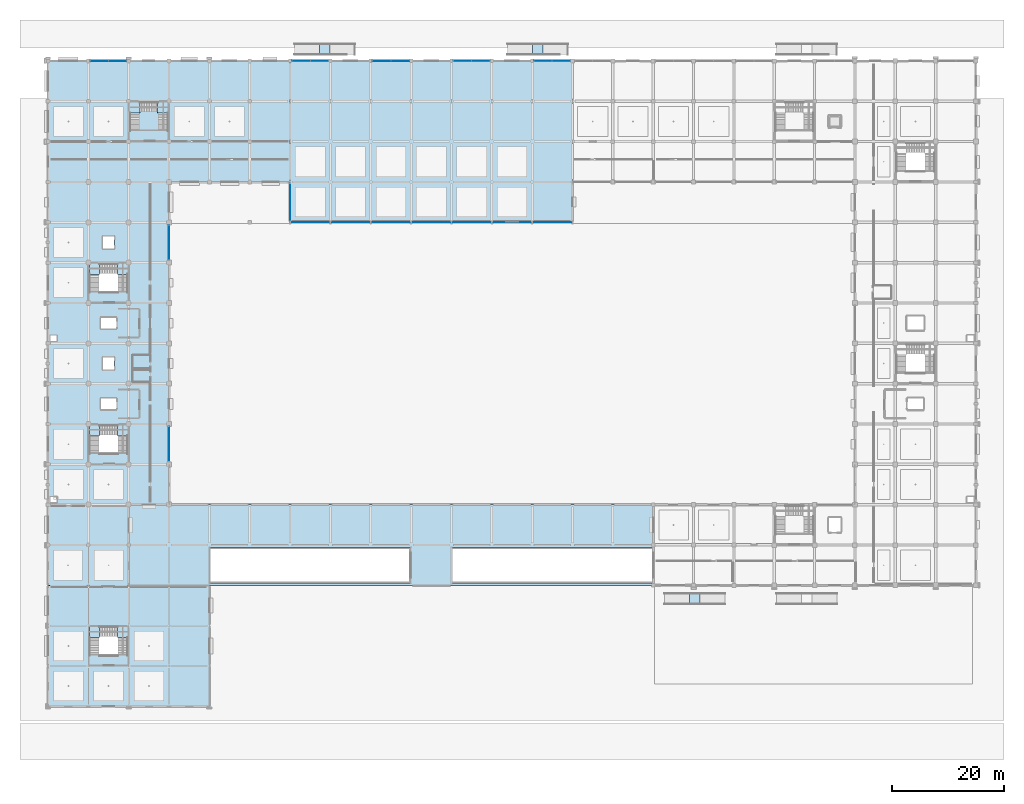
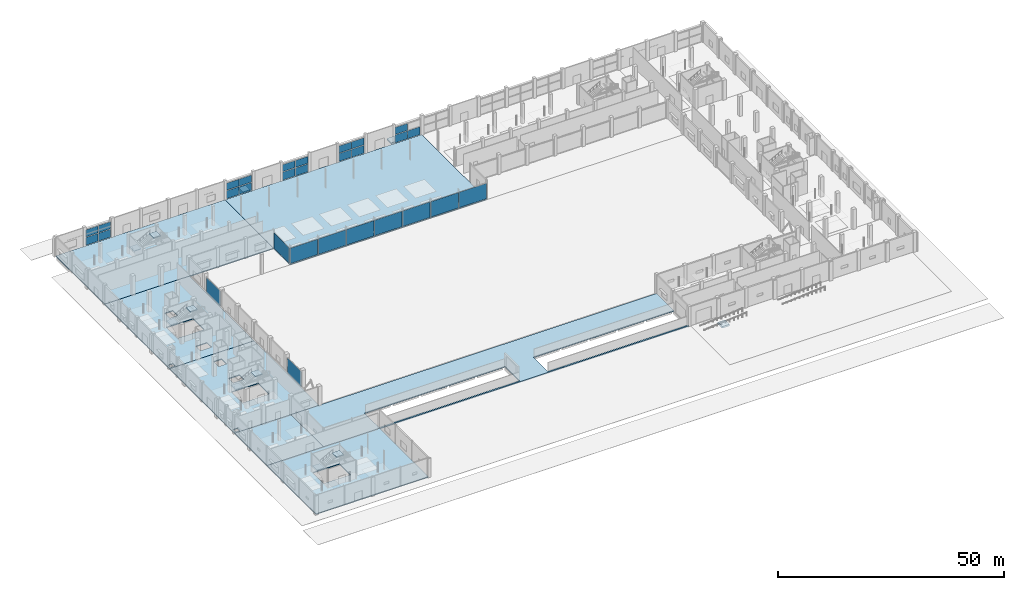
# One storey, part 52 of 90: 29 plates, 18 slabs, 22 elements without a shape of their own.
"""IFC4 building model written with IfcOpenShell, lengths in metres."""

import ifcopenshell
import ifcopenshell.guid

model = None  # the IFC model being written
_history = None  # IfcOwnerHistory: only IFC2X3 demands one
_inside = {}  # id of a spatial element -> (the spatial element, [elements in it])
_under = {}  # id of a project, library or spatial element -> (it, [spatial elements below it])
_declared = {}  # id of a project -> (the project, [libraries it declares])
_typed = {}  # id of a type object -> (the type object, [elements of that type])
_made_of = {}  # id of a material, layer set ... -> (it, [elements and type objects made of it])


def new_model(schema):
    """Start an empty IFC model of exactly this schema.

    Asked for "IFC4X3", IfcOpenShell would pick the latest addendum, in which some entities
    have other attributes; the version numbers below select the first issue.
    IFC2X3 requires an IfcOwnerHistory on every rooted entity: one is made here for all.
    """
    global model, _history
    if schema == "IFC4X3":
        model = ifcopenshell.file(schema_version=(4, 3, 0, 0))
    else:
        model = ifcopenshell.file(schema=schema)
    _inside.clear()
    _under.clear()
    _declared.clear()
    _typed.clear()
    _made_of.clear()
    _history = None
    if model.schema == "IFC2X3":
        org = make("IfcOrganization", Name="unknown")
        user = make(
            "IfcPersonAndOrganization",
            ThePerson=make("IfcPerson", FamilyName="unknown"),
            TheOrganization=org,
        )
        app = make(
            "IfcApplication",
            ApplicationDeveloper=org,
            Version="unknown",
            ApplicationFullName="unknown",
            ApplicationIdentifier="unknown",
        )
        _history = make(
            "IfcOwnerHistory",
            OwningUser=user,
            OwningApplication=app,
            ChangeAction="ADDED",
            CreationDate=0,
        )
    return model


def make(cls, **values):
    """One entity of the class cls with the attributes given. An attribute that is None is left unset."""
    return model.create_entity(
        cls, **{name: value for name, value in values.items() if value is not None}
    )


def rooted(cls, **values):
    """An entity with a GlobalId (a new one), such as an element, a storey or a relation."""
    return make(cls, GlobalId=ifcopenshell.guid.new(), OwnerHistory=_history, **values)


def si_unit(unit_type, name, prefix=None):
    """IfcSIUnit, for example si_unit("LENGTHUNIT", "METRE", prefix="MILLI")."""
    return make("IfcSIUnit", UnitType=unit_type, Prefix=prefix, Name=name)


def assignment(units):
    """IfcUnitAssignment: the units of a project."""
    return None if units is None else make("IfcUnitAssignment", Units=units)


def point(xyz):
    """IfcCartesianPoint."""
    return None if xyz is None else make("IfcCartesianPoint", Coordinates=xyz)


def direction(xyz):
    """IfcDirection."""
    return None if xyz is None else make("IfcDirection", DirectionRatios=xyz)


def frame(location, z_axis=None, x_axis=None):
    """IfcAxis2Placement3D, a coordinate frame: its origin and axes. An axis left out is left unset."""
    return make(
        "IfcAxis2Placement3D",
        Location=point(location),
        Axis=direction(z_axis),
        RefDirection=direction(x_axis),
    )


def frame_2d(location, x_axis=None):
    """IfcAxis2Placement2D, a coordinate frame in the plane: its origin and x axis."""
    return make(
        "IfcAxis2Placement2D", Location=point(location), RefDirection=direction(x_axis)
    )


def origin():
    """The frame at (0, 0, 0) with its axes left unset."""
    return frame((0.0, 0.0, 0.0))


def origin_2d():
    """The frame at (0, 0) in the plane with its x axis left unset."""
    return frame_2d((0.0, 0.0))


def place(relative_to, where):
    """IfcLocalPlacement: puts the frame where relative to a parent placement (None: the world)."""
    return make(
        "IfcLocalPlacement", PlacementRelTo=relative_to, RelativePlacement=where
    )


def context(
    kind, dimensions, precision=None, world=None, true_north=None, identifier=None
):
    """IfcGeometricRepresentationContext, for example the 3D "Model" context."""
    return make(
        "IfcGeometricRepresentationContext",
        ContextIdentifier=identifier,
        ContextType=kind,
        CoordinateSpaceDimension=dimensions,
        Precision=precision,
        WorldCoordinateSystem=world,
        TrueNorth=true_north,
    )


def subcontext(parent, identifier, kind, view, scale=None):
    """IfcGeometricRepresentationSubContext, for example "Body" below "Model"."""
    return make(
        "IfcGeometricRepresentationSubContext",
        ContextIdentifier=identifier,
        ContextType=kind,
        ParentContext=parent,
        TargetScale=scale,
        TargetView=view,
    )


def project(units=None, contexts=None):
    """IfcProject with its units and contexts."""
    return rooted(
        "IfcProject",
        Name="project",
        RepresentationContexts=contexts,
        UnitsInContext=assignment(units),
    )


def spatial(cls, under=None, at=None, **own):
    """A site, building, storey or space (cls), placed at a placement, below another one or the project."""
    s = rooted(cls, ObjectPlacement=at, **own)
    if under is not None:
        _under.setdefault(under.id(), (under, []))[1].append(s)
    return s


def polyline(points):
    """IfcPolyline through the points."""
    return make("IfcPolyline", Points=[point(p) for p in points])


def profile(cls, at=None, kind="AREA", **sizes):
    """A parametric profile (cls). Its sizes go by their IFC names, for example OverallWidth=200.0."""
    return make(cls, ProfileType=kind, Position=at, **sizes)


def rectangle(**sizes):
    """IfcRectangleProfileDef."""
    return profile("IfcRectangleProfileDef", **sizes)


def outline(outer, holes=None, kind="AREA"):
    """IfcArbitraryClosedProfileDef: a profile drawn as a closed curve; with holes, ...WithVoids."""
    if holes is None:
        return make("IfcArbitraryClosedProfileDef", ProfileType=kind, OuterCurve=outer)
    return make(
        "IfcArbitraryProfileDefWithVoids",
        ProfileType=kind,
        OuterCurve=outer,
        InnerCurves=holes,
    )


def extrude(swept, where, along, depth):
    """IfcExtrudedAreaSolid: the profile swept, set in the frame where, extruded along a direction by depth."""
    return make(
        "IfcExtrudedAreaSolid",
        SweptArea=swept,
        Position=where,
        ExtrudedDirection=direction(along),
        Depth=depth,
    )


def shape(context_of_items, identifier, shape_type, items):
    """IfcShapeRepresentation: the items that make up one representation, for example the "Body"."""
    return make(
        "IfcShapeRepresentation",
        ContextOfItems=context_of_items,
        RepresentationIdentifier=identifier,
        RepresentationType=shape_type,
        Items=items,
    )


def material(Name=None, Category=None):
    """IfcMaterial."""
    return make("IfcMaterial", Name=Name, Category=Category)


def layer(
    of_material, thickness, ventilated=None, Name=None, Category=None, Priority=None
):
    """IfcMaterialLayer: one layer of a wall or slab, of a material (None: an air gap)."""
    return make(
        "IfcMaterialLayer",
        Material=of_material,
        LayerThickness=thickness,
        IsVentilated=ventilated,
        Name=Name,
        Category=Category,
        Priority=Priority,
    )


def layer_set(layers, Name=None):
    """IfcMaterialLayerSet."""
    return make("IfcMaterialLayerSet", MaterialLayers=layers, LayerSetName=Name)


def made_of(thing, what):
    """Note that an element or type object is made of a material, layer set ...; save() writes the relation."""
    if what is not None:
        _made_of.setdefault(what.id(), (what, []))[1].append(thing)
    return thing


def type_object(cls, material=None, **own):
    """A type object (cls), such as IfcWallType, which elements share."""
    return made_of(rooted(cls, **own), material)


def element(
    cls,
    number,
    at=None,
    inside=None,
    cuts=None,
    type_object=None,
    material=None,
    context=None,
    identifier="Body",
    shape_type=None,
    held_by="IfcProductDefinitionShape",
    body=None,
    shapes=None,
    **own,
):
    """One element of the class cls, such as IfcWall. Its Tag is "e" and its number.

    at: its placement. inside: the storey or other place that contains it. cuts: it is an
    opening in that element (IfcRelVoidsElement). A single representation is given by context,
    identifier, shape_type and body (its items); several are given by shapes. held_by: the class
    of the entity that holds the representations. save() writes the other relations.
    """
    e = rooted(cls, Tag="e%d" % number, ObjectPlacement=at, **own)
    if body is not None:
        shapes = [shape(context, identifier, shape_type, body)]
    if shapes is not None:
        e.Representation = make(held_by, Representations=shapes)
    if inside is not None:
        _inside.setdefault(inside.id(), (inside, []))[1].append(e)
    if cuts is not None:
        rooted(
            "IfcRelVoidsElement", RelatingBuildingElement=cuts, RelatedOpeningElement=e
        )
    if type_object is not None:
        _typed.setdefault(type_object.id(), (type_object, []))[1].append(e)
    return made_of(e, material)


def aggregate(whole, parts):
    """IfcRelAggregates: a whole, such as a stair, and the parts it consists of."""
    return rooted("IfcRelAggregates", RelatingObject=whole, RelatedObjects=parts)


def save(model, path):
    """Write the relations noted so far, then the file.

    IfcRelAggregates (storeys below a building ...), IfcRelContainedInSpatialStructure (elements
    in a storey), IfcRelDefinesByType, IfcRelAssociatesMaterial and IfcRelDeclares: one each for
    every whole, place, type object, material and project.
    """
    for whole, parts in _under.values():
        aggregate(whole, parts)
    for where, things in _inside.values():
        rooted(
            "IfcRelContainedInSpatialStructure",
            RelatedElements=things,
            RelatingStructure=where,
        )
    for kind, things in _typed.values():
        rooted("IfcRelDefinesByType", RelatedObjects=things, RelatingType=kind)
    for what, things in _made_of.values():
        rooted("IfcRelAssociatesMaterial", RelatedObjects=things, RelatingMaterial=what)
    for by, libraries in _declared.values():
        rooted("IfcRelDeclares", RelatingContext=by, RelatedDefinitions=libraries)
    model.write(path)


model = new_model("IFC4")

# Units and contexts
model_context = context("Model", 3, precision=1e-05, world=origin(), true_north=direction((0.0, 1.0)))
body_context = subcontext(model_context, "Body", "Model", "MODEL_VIEW")
ifc_project = project(units=[si_unit("LENGTHUNIT", "METRE"), si_unit("AREAUNIT", "SQUARE_METRE"), si_unit("VOLUMEUNIT", "CUBIC_METRE"), si_unit("PLANEANGLEUNIT", "RADIAN"), si_unit("MASSUNIT", "GRAM", prefix="KILO")], contexts=[model_context])

# Site, building, storey
site_placement = place(None, origin())
site = spatial("IfcSite", under=ifc_project, at=site_placement, CompositionType="ELEMENT")
building_placement = place(site_placement, origin())
building = spatial("IfcBuilding", under=site, at=building_placement, Name="Kangsadwip Square Police Headquarters", CompositionType="ELEMENT")
storey_placement = place(building_placement, origin())
storey = spatial("IfcBuildingStorey", under=building, at=storey_placement, Name="L00", CompositionType="ELEMENT", Elevation=0.0)

# Curtain wall, plate
ifc_material_1 = material(Name="Thermally broken anodised aluminium AW-6063-T6", Category="aluminium")
ifc_layer_1 = layer(ifc_material_1, 0.159912109375)
ifc_layer_set_1 = layer_set([ifc_layer_1], Name="Thermally broken anodised aluminium AW-6063-T6")
curtain_wall_type_1 = type_object("IfcCurtainWallType", Name="CourtScreen7180x4450", PredefinedType="USERDEFINED", material=ifc_layer_set_1)
curtain_wall_1_placement = place(storey_placement, origin())
curtain_wall_1 = element("IfcCurtainWall", 1, at=curtain_wall_1_placement, inside=storey, type_object=curtain_wall_type_1, Name="Curtain Wall CW-L00-0432-0864", ObjectType="GLAZED_SCREEN", PredefinedType="USERDEFINED")
ifc_material_2 = material(Name="Double-glazed solar-control low-E safety glass", Category="glass")
ifc_layer_2 = layer(ifc_material_2, 0.02392578125)
ifc_layer_set_2 = layer_set([ifc_layer_2], Name="Double-glazed solar-control low-E safety glass")
plate_type_1 = type_object("IfcPlateType", Name="CwCourtVisionPanel24", PredefinedType="CURTAIN_PANEL", material=ifc_layer_set_2)
plate_1_placement = place(storey_placement, frame((46.800048828125, 86.39990234375, 0.14013671875), z_axis=(0.0, 0.0, 1.0), x_axis=(1.0, 0.0, 0.0)))
plate_1 = element("IfcPlate", 2, at=plate_1_placement, type_object=plate_type_1, Name="CW-02 panel 1.1", PredefinedType="CURTAIN_PANEL", context=body_context, shape_type="SweptSolid", body=[
    extrude(rectangle(XDim=7.030029296875, YDim=0.02392578125, at=origin_2d()), origin(), (0.0, 0.0, 1.0), 4.169921875),
])
aggregate(curtain_wall_1, [plate_1])

curtain_wall_2_placement = place(storey_placement, origin())
curtain_wall_2 = element("IfcCurtainWall", 3, at=curtain_wall_2_placement, inside=storey, type_object=curtain_wall_type_1, Name="Curtain Wall CW-L00-0504-0864", ObjectType="GLAZED_SCREEN", PredefinedType="USERDEFINED")
plate_2_placement = place(storey_placement, frame((54.0, 86.39990234375, 0.14013671875), z_axis=(0.0, 0.0, 1.0), x_axis=(1.0, 0.0, 0.0)))
plate_2 = element("IfcPlate", 4, at=plate_2_placement, type_object=plate_type_1, Name="CW-02 panel 1.1", PredefinedType="CURTAIN_PANEL", context=body_context, shape_type="SweptSolid", body=[
    extrude(rectangle(XDim=7.030029296875, YDim=0.02392578125, at=origin_2d()), origin(), (0.0, 0.0, 1.0), 4.169921875),
])
aggregate(curtain_wall_2, [plate_2])

curtain_wall_3_placement = place(storey_placement, origin())
curtain_wall_3 = element("IfcCurtainWall", 5, at=curtain_wall_3_placement, inside=storey, type_object=curtain_wall_type_1, Name="Curtain Wall CW-L00-0576-0864", ObjectType="GLAZED_SCREEN", PredefinedType="USERDEFINED")
plate_3_placement = place(storey_placement, frame((61.199951171875, 86.39990234375, 0.14013671875), z_axis=(0.0, 0.0, 1.0), x_axis=(1.0, 0.0, 0.0)))
plate_3 = element("IfcPlate", 6, at=plate_3_placement, type_object=plate_type_1, Name="CW-02 panel 1.1", PredefinedType="CURTAIN_PANEL", context=body_context, shape_type="SweptSolid", body=[
    extrude(rectangle(XDim=7.030029296875, YDim=0.02392578125, at=origin_2d()), origin(), (0.0, 0.0, 1.0), 4.169921875),
])
aggregate(curtain_wall_3, [plate_3])

curtain_wall_4_placement = place(storey_placement, origin())
curtain_wall_4 = element("IfcCurtainWall", 7, at=curtain_wall_4_placement, inside=storey, type_object=curtain_wall_type_1, Name="Curtain Wall CW-L00-0648-0864", ObjectType="GLAZED_SCREEN", PredefinedType="USERDEFINED")
plate_4_placement = place(storey_placement, frame((68.39990234375, 86.39990234375, 0.14013671875), z_axis=(0.0, 0.0, 1.0), x_axis=(1.0, 0.0, 0.0)))
plate_4 = element("IfcPlate", 8, at=plate_4_placement, type_object=plate_type_1, Name="CW-02 panel 1.1", PredefinedType="CURTAIN_PANEL", context=body_context, shape_type="SweptSolid", body=[
    extrude(rectangle(XDim=7.030029296875, YDim=0.02392578125, at=origin_2d()), origin(), (0.0, 0.0, 1.0), 4.169921875),
])
aggregate(curtain_wall_4, [plate_4])

curtain_wall_5_placement = place(storey_placement, origin())
curtain_wall_5 = element("IfcCurtainWall", 9, at=curtain_wall_5_placement, inside=storey, type_object=curtain_wall_type_1, Name="Curtain Wall CW-L00-0720-0864", ObjectType="GLAZED_SCREEN", PredefinedType="USERDEFINED")
plate_5_placement = place(storey_placement, frame((75.60009765625, 86.39990234375, 0.14013671875), z_axis=(0.0, 0.0, 1.0), x_axis=(1.0, 0.0, 0.0)))
plate_5 = element("IfcPlate", 10, at=plate_5_placement, type_object=plate_type_1, Name="CW-02 panel 1.1", PredefinedType="CURTAIN_PANEL", context=body_context, shape_type="SweptSolid", body=[
    extrude(rectangle(XDim=7.030029296875, YDim=0.02392578125, at=origin_2d()), origin(), (0.0, 0.0, 1.0), 4.169921875),
])
aggregate(curtain_wall_5, [plate_5])

curtain_wall_6_placement = place(storey_placement, origin())
curtain_wall_6 = element("IfcCurtainWall", 11, at=curtain_wall_6_placement, inside=storey, type_object=curtain_wall_type_1, Name="Curtain Wall CW-L00-0792-0864", ObjectType="GLAZED_SCREEN", PredefinedType="USERDEFINED")
plate_6_placement = place(storey_placement, frame((82.800048828125, 86.39990234375, 0.14013671875), z_axis=(0.0, 0.0, 1.0), x_axis=(1.0, 0.0, 0.0)))
plate_6 = element("IfcPlate", 12, at=plate_6_placement, type_object=plate_type_1, Name="CW-02 panel 1.1", PredefinedType="CURTAIN_PANEL", context=body_context, shape_type="SweptSolid", body=[
    extrude(rectangle(XDim=7.030029296875, YDim=0.02392578125, at=origin_2d()), origin(), (0.0, 0.0, 1.0), 4.169921875),
])
aggregate(curtain_wall_6, [plate_6])

curtain_wall_7_placement = place(storey_placement, origin())
curtain_wall_7 = element("IfcCurtainWall", 13, at=curtain_wall_7_placement, inside=storey, type_object=curtain_wall_type_1, Name="Curtain Wall CW-L00-0864-0864", ObjectType="GLAZED_SCREEN", PredefinedType="USERDEFINED")
plate_7_placement = place(storey_placement, frame((90.0, 86.39990234375, 0.14013671875), z_axis=(0.0, 0.0, 1.0), x_axis=(1.0, 0.0, 0.0)))
plate_7 = element("IfcPlate", 14, at=plate_7_placement, type_object=plate_type_1, Name="CW-02 panel 1.1", PredefinedType="CURTAIN_PANEL", context=body_context, shape_type="SweptSolid", body=[
    extrude(rectangle(XDim=7.030029296875, YDim=0.02392578125, at=origin_2d()), origin(), (0.0, 0.0, 1.0), 4.169921875),
])
aggregate(curtain_wall_7, [plate_7])

ifc_material_3 = material(Name="Thermally broken anodised aluminium AW-6063-T6", Category="aluminium")
ifc_layer_3 = layer(ifc_material_3, 0.159912109375)
ifc_layer_set_3 = layer_set([ifc_layer_3], Name="Thermally broken anodised aluminium AW-6063-T6")
curtain_wall_type_2 = type_object("IfcCurtainWallType", Name="CourtScreen6310x4450", PredefinedType="USERDEFINED", material=ifc_layer_set_3)
curtain_wall_8_placement = place(storey_placement, origin())
curtain_wall_8 = element("IfcCurtainWall", 15, at=curtain_wall_8_placement, inside=storey, type_object=curtain_wall_type_2, Name="Curtain Wall CW-L00-0216-0436", ObjectType="GLAZED_SCREEN", PredefinedType="USERDEFINED")
plate_8_placement = place(storey_placement, frame((21.60009765625, 46.800048828125, 0.14013671875), z_axis=(0.0, 0.0, 1.0), x_axis=(0.0, 1.0, 0.0)))
plate_8 = element("IfcPlate", 16, at=plate_8_placement, type_object=plate_type_1, Name="CW-13 panel 1.1", PredefinedType="CURTAIN_PANEL", context=body_context, shape_type="SweptSolid", body=[
    extrude(rectangle(XDim=6.159912109375, YDim=0.02392578125, at=origin_2d()), origin(), (0.0, 0.0, 1.0), 4.169921875),
])
aggregate(curtain_wall_8, [plate_8])

curtain_wall_9_placement = place(storey_placement, origin())
curtain_wall_9 = element("IfcCurtainWall", 17, at=curtain_wall_9_placement, inside=storey, type_object=curtain_wall_type_2, Name="Curtain Wall CW-L00-0216-0796", ObjectType="GLAZED_SCREEN", PredefinedType="USERDEFINED")
plate_9_placement = place(storey_placement, frame((21.60009765625, 82.800048828125, 0.14013671875), z_axis=(0.0, 0.0, 1.0), x_axis=(0.0, 1.0, 0.0)))
plate_9 = element("IfcPlate", 18, at=plate_9_placement, type_object=plate_type_1, Name="CW-13 panel 1.1", PredefinedType="CURTAIN_PANEL", context=body_context, shape_type="SweptSolid", body=[
    extrude(rectangle(XDim=6.159912109375, YDim=0.02392578125, at=origin_2d()), origin(), (0.0, 0.0, 1.0), 4.169921875),
])
aggregate(curtain_wall_9, [plate_9])

ifc_material_4 = material(Name="Thermally broken anodised aluminium AW-6063-T6", Category="aluminium")
ifc_layer_4 = layer(ifc_material_4, 0.159912109375)
ifc_layer_set_4 = layer_set([ifc_layer_4], Name="Thermally broken anodised aluminium AW-6063-T6")
curtain_wall_type_3 = type_object("IfcCurtainWallType", Name="CourtScreen6744x4450", PredefinedType="USERDEFINED", material=ifc_layer_set_4)
curtain_wall_10_placement = place(storey_placement, origin())
curtain_wall_10 = element("IfcCurtainWall", 19, at=curtain_wall_10_placement, inside=storey, type_object=curtain_wall_type_3, Name="Curtain Wall CW-L00-0432-0866", ObjectType="GLAZED_SCREEN", PredefinedType="USERDEFINED")
plate_10_placement = place(storey_placement, frame((43.199951171875, 90.0, 0.14013671875), z_axis=(0.0, 0.0, 1.0), x_axis=(0.0, 1.0, 0.0)))
plate_10 = element("IfcPlate", 20, at=plate_10_placement, type_object=plate_type_1, Name="CW-14 panel 1.1", PredefinedType="CURTAIN_PANEL", context=body_context, shape_type="SweptSolid", body=[
    extrude(rectangle(XDim=6.593994140625, YDim=0.02392578125, at=origin_2d()), origin(), (0.0, 0.0, 1.0), 4.169921875),
])
aggregate(curtain_wall_10, [plate_10])

# Curtain wall, plates
ifc_material_5 = material(Name="Thermally broken anodised aluminium AW-6063-T6", Category="aluminium")
ifc_layer_5 = layer(ifc_material_5, 0.159912109375)
ifc_layer_set_5 = layer_set([ifc_layer_5], Name="Thermally broken anodised aluminium AW-6063-T6")
curtain_wall_type_4 = type_object("IfcCurtainWallType", Name="UnitisedCw6585x4450", PredefinedType="NOTDEFINED", material=ifc_layer_set_5)
curtain_wall_11_placement = place(storey_placement, origin())
curtain_wall_11 = element("IfcCurtainWall", 21, at=curtain_wall_11_placement, inside=storey, type_object=curtain_wall_type_4, Name="Curtain Wall CW-L00-0435-1152", PredefinedType="NOTDEFINED")
ifc_material_6 = material(Name="Double-glazed solar-control low-E safety glass", Category="glass")
ifc_layer_6 = layer(ifc_material_6, 0.028076171875)
ifc_layer_set_6 = layer_set([ifc_layer_6], Name="Double-glazed solar-control low-E safety glass")
plate_type_2 = type_object("IfcPlateType", Name="CwSolarVisionPanel28", PredefinedType="CURTAIN_PANEL", material=ifc_layer_set_6)
plate_11_placement = place(storey_placement, frame((45.18505859375, 115.199951171875, 0.14013671875), z_axis=(0.0, 0.0, 1.0), x_axis=(1.0, 0.0, 0.0)))
plate_11 = element("IfcPlate", 22, at=plate_11_placement, type_object=plate_type_2, Name="CW-07 panel 1.1", PredefinedType="CURTAIN_PANEL", context=body_context, shape_type="SweptSolid", body=[
    extrude(rectangle(XDim=3.179931640625, YDim=0.028076171875, at=origin_2d()), origin(), (0.0, 0.0, 1.0), 2.139892578125),
])
plate_12_placement = place(storey_placement, frame((45.18505859375, 115.199951171875, 2.419921875), z_axis=(0.0, 0.0, 1.0), x_axis=(1.0, 0.0, 0.0)))
plate_12 = element("IfcPlate", 23, at=plate_12_placement, type_object=plate_type_2, Name="CW-07 panel 1.2", PredefinedType="CURTAIN_PANEL", context=body_context, shape_type="SweptSolid", body=[
    extrude(rectangle(XDim=3.179931640625, YDim=0.028076171875, at=origin_2d()), origin(), (0.0, 0.0, 1.0), 1.889892578125),
])
plate_13_placement = place(storey_placement, frame((48.43994140625, 115.199951171875, 0.14013671875), z_axis=(0.0, 0.0, 1.0), x_axis=(1.0, 0.0, 0.0)))
plate_13 = element("IfcPlate", 24, at=plate_13_placement, type_object=plate_type_2, Name="CW-07 panel 2.1", PredefinedType="CURTAIN_PANEL", context=body_context, shape_type="SweptSolid", body=[
    extrude(rectangle(XDim=3.179931640625, YDim=0.028076171875, at=origin_2d()), origin(), (0.0, 0.0, 1.0), 2.139892578125),
])
plate_14_placement = place(storey_placement, frame((48.43994140625, 115.199951171875, 2.419921875), z_axis=(0.0, 0.0, 1.0), x_axis=(1.0, 0.0, 0.0)))
plate_14 = element("IfcPlate", 25, at=plate_14_placement, type_object=plate_type_2, Name="CW-07 panel 2.2", PredefinedType="CURTAIN_PANEL", context=body_context, shape_type="SweptSolid", body=[
    extrude(rectangle(XDim=3.179931640625, YDim=0.028076171875, at=origin_2d()), origin(), (0.0, 0.0, 1.0), 1.889892578125),
])
aggregate(curtain_wall_11, [plate_11, plate_12, plate_13, plate_14])

ifc_material_7 = material(Name="Thermally broken anodised aluminium AW-6063-T6", Category="aluminium")
ifc_layer_7 = layer(ifc_material_7, 0.159912109375)
ifc_layer_set_7 = layer_set([ifc_layer_7], Name="Thermally broken anodised aluminium AW-6063-T6")
curtain_wall_type_5 = type_object("IfcCurtainWallType", Name="UnitisedCw6610x4450", PredefinedType="NOTDEFINED", material=ifc_layer_set_7)
curtain_wall_12_placement = place(storey_placement, origin())
curtain_wall_12 = element("IfcCurtainWall", 26, at=curtain_wall_12_placement, inside=storey, type_object=curtain_wall_type_5, Name="Curtain Wall CW-L00-0723-1152", PredefinedType="NOTDEFINED")
plate_15_placement = place(storey_placement, frame((73.96630859375, 115.199951171875, 0.14013671875), z_axis=(0.0, 0.0, 1.0), x_axis=(1.0, 0.0, 0.0)))
plate_15 = element("IfcPlate", 27, at=plate_15_placement, type_object=plate_type_2, Name="CW-08 panel 1.1", PredefinedType="CURTAIN_PANEL", context=body_context, shape_type="SweptSolid", body=[
    extrude(rectangle(XDim=3.1923828125, YDim=0.028076171875, at=origin_2d()), origin(), (0.0, 0.0, 1.0), 2.139892578125),
])
plate_16_placement = place(storey_placement, frame((73.96630859375, 115.199951171875, 2.419921875), z_axis=(0.0, 0.0, 1.0), x_axis=(1.0, 0.0, 0.0)))
plate_16 = element("IfcPlate", 28, at=plate_16_placement, type_object=plate_type_2, Name="CW-08 panel 1.2", PredefinedType="CURTAIN_PANEL", context=body_context, shape_type="SweptSolid", body=[
    extrude(rectangle(XDim=3.1923828125, YDim=0.028076171875, at=origin_2d()), origin(), (0.0, 0.0, 1.0), 1.889892578125),
])
plate_17_placement = place(storey_placement, frame((77.233642578125, 115.199951171875, 0.14013671875), z_axis=(0.0, 0.0, 1.0), x_axis=(1.0, 0.0, 0.0)))
plate_17 = element("IfcPlate", 29, at=plate_17_placement, type_object=plate_type_2, Name="CW-08 panel 2.1", PredefinedType="CURTAIN_PANEL", context=body_context, shape_type="SweptSolid", body=[
    extrude(rectangle(XDim=3.1923828125, YDim=0.028076171875, at=origin_2d()), origin(), (0.0, 0.0, 1.0), 2.139892578125),
])
plate_18_placement = place(storey_placement, frame((77.233642578125, 115.199951171875, 2.419921875), z_axis=(0.0, 0.0, 1.0), x_axis=(1.0, 0.0, 0.0)))
plate_18 = element("IfcPlate", 30, at=plate_18_placement, type_object=plate_type_2, Name="CW-08 panel 2.2", PredefinedType="CURTAIN_PANEL", context=body_context, shape_type="SweptSolid", body=[
    extrude(rectangle(XDim=3.1923828125, YDim=0.028076171875, at=origin_2d()), origin(), (0.0, 0.0, 1.0), 1.889892578125),
])
aggregate(curtain_wall_12, [plate_15, plate_16, plate_17, plate_18])

ifc_material_8 = material(Name="Thermally broken anodised aluminium AW-6063-T6", Category="aluminium")
ifc_layer_8 = layer(ifc_material_8, 0.159912109375)
ifc_layer_set_8 = layer_set([ifc_layer_8], Name="Thermally broken anodised aluminium AW-6063-T6")
curtain_wall_type_6 = type_object("IfcCurtainWallType", Name="UnitisedCw6535x4450", PredefinedType="NOTDEFINED", material=ifc_layer_set_8)
curtain_wall_13_placement = place(storey_placement, origin())
curtain_wall_13 = element("IfcCurtainWall", 31, at=curtain_wall_13_placement, inside=storey, type_object=curtain_wall_type_6, Name="Curtain Wall CW-L00-0867-1152", PredefinedType="NOTDEFINED")
plate_19_placement = place(storey_placement, frame((88.347412109375, 115.199951171875, 0.14013671875), z_axis=(0.0, 0.0, 1.0), x_axis=(1.0, 0.0, 0.0)))
plate_19 = element("IfcPlate", 32, at=plate_19_placement, type_object=plate_type_2, Name="CW-09 panel 1.1", PredefinedType="CURTAIN_PANEL", context=body_context, shape_type="SweptSolid", body=[
    extrude(rectangle(XDim=3.155029296875, YDim=0.028076171875, at=origin_2d()), origin(), (0.0, 0.0, 1.0), 2.139892578125),
])
plate_20_placement = place(storey_placement, frame((88.347412109375, 115.199951171875, 2.419921875), z_axis=(0.0, 0.0, 1.0), x_axis=(1.0, 0.0, 0.0)))
plate_20 = element("IfcPlate", 33, at=plate_20_placement, type_object=plate_type_2, Name="CW-09 panel 1.2", PredefinedType="CURTAIN_PANEL", context=body_context, shape_type="SweptSolid", body=[
    extrude(rectangle(XDim=3.155029296875, YDim=0.028076171875, at=origin_2d()), origin(), (0.0, 0.0, 1.0), 1.889892578125),
])
plate_21_placement = place(storey_placement, frame((91.577392578125, 115.199951171875, 0.14013671875), z_axis=(0.0, 0.0, 1.0), x_axis=(1.0, 0.0, 0.0)))
plate_21 = element("IfcPlate", 34, at=plate_21_placement, type_object=plate_type_2, Name="CW-09 panel 2.1", PredefinedType="CURTAIN_PANEL", context=body_context, shape_type="SweptSolid", body=[
    extrude(rectangle(XDim=3.155029296875, YDim=0.028076171875, at=origin_2d()), origin(), (0.0, 0.0, 1.0), 2.139892578125),
])
aggregate(curtain_wall_13, [plate_19, plate_20, plate_21])

ifc_material_9 = material(Name="Thermally broken anodised aluminium AW-6063-T6", Category="aluminium")
ifc_layer_9 = layer(ifc_material_9, 0.159912109375)
ifc_layer_set_9 = layer_set([ifc_layer_9], Name="Thermally broken anodised aluminium AW-6063-T6")
curtain_wall_type_7 = type_object("IfcCurtainWallType", Name="UnitisedCw6510x4450", PredefinedType="NOTDEFINED", material=ifc_layer_set_9)
curtain_wall_14_placement = place(storey_placement, origin())
curtain_wall_14 = element("IfcCurtainWall", 35, at=curtain_wall_14_placement, inside=storey, type_object=curtain_wall_type_7, Name="Curtain Wall CW-L00-0075-1152", PredefinedType="NOTDEFINED")
ifc_material_10 = material(Name="Insulated ceramic-fritted spandrel safety glass", Category="glass")
ifc_layer_10 = layer(ifc_material_10, 0.0400390625)
ifc_layer_set_10 = layer_set([ifc_layer_10], Name="Insulated ceramic-fritted spandrel safety glass")
plate_type_3 = type_object("IfcPlateType", Name="CwSpandrelSheetPanel40", PredefinedType="SHEET", material=ifc_layer_set_10)
plate_22_placement = place(storey_placement, frame((9.191162109375, 115.199951171875, 0.14013671875), z_axis=(0.0, 0.0, 1.0), x_axis=(1.0, 0.0, 0.0)))
plate_22 = element("IfcPlate", 36, at=plate_22_placement, type_object=plate_type_3, Name="CW-06 panel 1.1", PredefinedType="SHEET", context=body_context, shape_type="SweptSolid", body=[
    extrude(rectangle(XDim=3.142578125, YDim=0.0400390625, at=origin_2d()), origin(), (0.0, 0.0, 1.0), 2.139892578125),
])
plate_23_placement = place(storey_placement, frame((9.191162109375, 115.199951171875, 2.419921875), z_axis=(0.0, 0.0, 1.0), x_axis=(1.0, 0.0, 0.0)))
plate_23 = element("IfcPlate", 37, at=plate_23_placement, type_object=plate_type_3, Name="CW-06 panel 1.2", PredefinedType="SHEET", context=body_context, shape_type="SweptSolid", body=[
    extrude(rectangle(XDim=3.142578125, YDim=0.0400390625, at=origin_2d()), origin(), (0.0, 0.0, 1.0), 1.889892578125),
])
plate_24_placement = place(storey_placement, frame((12.40869140625, 115.199951171875, 0.14013671875), z_axis=(0.0, 0.0, 1.0), x_axis=(1.0, 0.0, 0.0)))
plate_24 = element("IfcPlate", 38, at=plate_24_placement, type_object=plate_type_3, Name="CW-06 panel 2.1", PredefinedType="SHEET", context=body_context, shape_type="SweptSolid", body=[
    extrude(rectangle(XDim=3.142578125, YDim=0.0400390625, at=origin_2d()), origin(), (0.0, 0.0, 1.0), 2.139892578125),
])
plate_25_placement = place(storey_placement, frame((12.40869140625, 115.199951171875, 2.419921875), z_axis=(0.0, 0.0, 1.0), x_axis=(1.0, 0.0, 0.0)))
plate_25 = element("IfcPlate", 39, at=plate_25_placement, type_object=plate_type_3, Name="CW-06 panel 2.2", PredefinedType="SHEET", context=body_context, shape_type="SweptSolid", body=[
    extrude(rectangle(XDim=3.142578125, YDim=0.0400390625, at=origin_2d()), origin(), (0.0, 0.0, 1.0), 1.889892578125),
])
aggregate(curtain_wall_14, [plate_22, plate_23, plate_24, plate_25])

curtain_wall_15_placement = place(storey_placement, origin())
curtain_wall_15 = element("IfcCurtainWall", 40, at=curtain_wall_15_placement, inside=storey, type_object=curtain_wall_type_5, Name="Curtain Wall CW-L00-0579-1152", PredefinedType="NOTDEFINED")
plate_26_placement = place(storey_placement, frame((59.566162109375, 115.199951171875, 0.14013671875), z_axis=(0.0, 0.0, 1.0), x_axis=(1.0, 0.0, 0.0)))
plate_26 = element("IfcPlate", 41, at=plate_26_placement, type_object=plate_type_3, Name="CW-08 panel 1.1", PredefinedType="SHEET", context=body_context, shape_type="SweptSolid", body=[
    extrude(rectangle(XDim=3.1923828125, YDim=0.0400390625, at=origin_2d()), origin(), (0.0, 0.0, 1.0), 2.139892578125),
])
plate_27_placement = place(storey_placement, frame((59.566162109375, 115.199951171875, 2.419921875), z_axis=(0.0, 0.0, 1.0), x_axis=(1.0, 0.0, 0.0)))
plate_27 = element("IfcPlate", 42, at=plate_27_placement, type_object=plate_type_3, Name="CW-08 panel 1.2", PredefinedType="SHEET", context=body_context, shape_type="SweptSolid", body=[
    extrude(rectangle(XDim=3.1923828125, YDim=0.0400390625, at=origin_2d()), origin(), (0.0, 0.0, 1.0), 1.889892578125),
])
plate_28_placement = place(storey_placement, frame((62.833740234375, 115.199951171875, 0.14013671875), z_axis=(0.0, 0.0, 1.0), x_axis=(1.0, 0.0, 0.0)))
plate_28 = element("IfcPlate", 43, at=plate_28_placement, type_object=plate_type_3, Name="CW-08 panel 2.1", PredefinedType="SHEET", context=body_context, shape_type="SweptSolid", body=[
    extrude(rectangle(XDim=3.1923828125, YDim=0.0400390625, at=origin_2d()), origin(), (0.0, 0.0, 1.0), 2.139892578125),
])
plate_29_placement = place(storey_placement, frame((62.833740234375, 115.199951171875, 2.419921875), z_axis=(0.0, 0.0, 1.0), x_axis=(1.0, 0.0, 0.0)))
plate_29 = element("IfcPlate", 44, at=plate_29_placement, type_object=plate_type_3, Name="CW-08 panel 2.2", PredefinedType="SHEET", context=body_context, shape_type="SweptSolid", body=[
    extrude(rectangle(XDim=3.1923828125, YDim=0.0400390625, at=origin_2d()), origin(), (0.0, 0.0, 1.0), 1.889892578125),
])
aggregate(curtain_wall_15, [plate_26, plate_27, plate_28, plate_29])

# Slabs
ifc_material_11 = material(Name="Concrete M35 (35 MPa)", Category="concrete")
ifc_layer_11 = layer(ifc_material_11, 0.25)
ifc_layer_set_11 = layer_set([ifc_layer_11], Name="Concrete M35 (35 MPa)")
slab_type_1 = type_object("IfcSlabType", Name="PlinthGroundSlab250", PredefinedType="FLOOR", material=ifc_layer_set_11)
slab_1_placement = place(storey_placement, frame((0.0, 0.0, -0.25)))
element("IfcSlab", 45, at=slab_1_placement, inside=storey, type_object=slab_type_1, Name="L00 Vol4 Slab SL-L00-007", PredefinedType="FLOOR", context=body_context, shape_type="SweptSolid", body=[
    extrude(outline(polyline([(0.0, 93.60009765625), (0.0, 115.199951171875), (43.199951171875, 115.199951171875), (43.199951171875, 93.60009765625), (0.0, 93.60009765625)])), origin(), (0.0, 0.0, 1.0), 0.25),
])
slab_2_placement = place(storey_placement, frame((0.0, 0.0, -0.25)))
element("IfcSlab", 46, at=slab_2_placement, inside=storey, type_object=slab_type_1, Name="L00 Vol1 Slab SL-L00-008", PredefinedType="FLOOR", context=body_context, shape_type="SweptSolid", body=[
    extrude(outline(polyline([(43.199951171875, 86.39990234375), (43.199951171875, 115.199951171875), (93.60009765625, 115.199951171875), (93.60009765625, 86.39990234375), (43.199951171875, 86.39990234375)])), origin(), (0.0, 0.0, 1.0), 0.25),
])
slab_3_placement = place(storey_placement, frame((0.0, 0.0, -0.25)))
element("IfcSlab", 47, at=slab_3_placement, inside=storey, type_object=slab_type_1, Name="L00 Vol5S Slab SL-L00-011", PredefinedType="FLOOR", context=body_context, shape_type="SweptSolid", body=[
    extrude(outline(polyline([(0.0, 36.0), (0.0, 64.800048828125), (21.60009765625, 64.800048828125), (21.60009765625, 36.0), (0.0, 36.0)]), holes=[polyline([(1.60009765625, 37.39990234375), (0.39990234375, 37.39990234375), (0.39990234375, 36.39990234375), (1.60009765625, 36.39990234375), (1.60009765625, 37.39990234375)]), polyline([(14.179931640625, 45.280029296875), (14.179931640625, 50.179931640625), (7.419921875, 50.179931640625), (7.419921875, 45.280029296875), (14.179931640625, 45.280029296875)]), polyline([(12.199951171875, 55.0), (9.39990234375, 55.0), (9.39990234375, 53.0), (12.199951171875, 53.0), (12.199951171875, 55.0)]), polyline([(11.800048828125, 62.300048828125), (9.800048828125, 62.300048828125), (9.800048828125, 60.10009765625), (11.800048828125, 60.10009765625), (11.800048828125, 62.300048828125)])]), origin(), (0.0, 0.0, 1.0), 0.25),
])
slab_4_placement = place(storey_placement, frame((0.0, 0.0, -0.25)))
element("IfcSlab", 48, at=slab_4_placement, inside=storey, type_object=slab_type_1, Name="L00 Vol5N Slab SL-L00-012", PredefinedType="FLOOR", context=body_context, shape_type="SweptSolid", body=[
    extrude(outline(polyline([(0.0, 64.800048828125), (0.0, 93.60009765625), (21.60009765625, 93.60009765625), (21.60009765625, 64.800048828125), (0.0, 64.800048828125)]), holes=[polyline([(1.60009765625, 66.199951171875), (0.39990234375, 66.199951171875), (0.39990234375, 65.199951171875), (1.60009765625, 65.199951171875), (1.60009765625, 66.199951171875)]), polyline([(12.199951171875, 69.39990234375), (9.39990234375, 69.39990234375), (9.39990234375, 67.39990234375), (12.199951171875, 67.39990234375), (12.199951171875, 69.39990234375)]), polyline([(14.179931640625, 74.080078125), (14.179931640625, 78.97998046875), (7.419921875, 78.97998046875), (7.419921875, 74.080078125), (14.179931640625, 74.080078125)]), polyline([(11.800048828125, 83.89990234375), (9.800048828125, 83.89990234375), (9.800048828125, 81.699951171875), (11.800048828125, 81.699951171875), (11.800048828125, 83.89990234375)])]), origin(), (0.0, 0.0, 1.0), 0.25),
])
slab_5_placement = place(storey_placement, frame((0.0, 0.0, -0.25)))
element("IfcSlab", 49, at=slab_5_placement, inside=storey, type_object=slab_type_1, Name="L00 Vol3 Slab SL-L00-015", PredefinedType="FLOOR", context=body_context, shape_type="SweptSolid", body=[
    extrude(outline(polyline([(0.0, 0.0), (0.0, 21.60009765625), (28.800048828125, 21.60009765625), (28.800048828125, 0.0), (0.0, 0.0)]), holes=[polyline([(14.179931640625, 9.280029296875), (14.179931640625, 14.179931640625), (7.419921875, 14.179931640625), (7.419921875, 9.280029296875), (14.179931640625, 9.280029296875)])]), origin(), (0.0, 0.0, 1.0), 0.25),
])
slab_6_placement = place(storey_placement, frame((0.0, 0.0, -0.25)))
element("IfcSlab", 50, at=slab_6_placement, inside=storey, type_object=slab_type_1, Name="Courtyard Link Bridge Deck SL-L00-016", PredefinedType="FLOOR", context=body_context, shape_type="SweptSolid", body=[
    extrude(outline(polyline([(0.0, 21.60009765625), (0.0, 36.0), (14.39990234375, 36.0), (14.39990234375, 21.60009765625), (0.0, 21.60009765625)])), origin(), (0.0, 0.0, 1.0), 0.25),
])
slab_7_placement = place(storey_placement, frame((0.0, 0.0, -0.25)))
element("IfcSlab", 51, at=slab_7_placement, inside=storey, type_object=slab_type_1, Name="South Service Podium Deck SL-L00-066", PredefinedType="FLOOR", context=body_context, shape_type="SweptSolid", body=[
    extrude(outline(polyline([(108.0, 21.60009765625), (14.39990234375, 21.60009765625), (14.39990234375, 36.0), (108.0, 36.0), (108.0, 28.39990234375), (72.0, 28.39990234375), (72.0, 22.0), (108.0, 22.0), (108.0, 21.60009765625)]), holes=[polyline([(64.800048828125, 22.0), (64.800048828125, 28.39990234375), (28.800048828125, 28.39990234375), (28.800048828125, 22.0), (64.800048828125, 22.0)])]), origin(), (0.0, 0.0, 1.0), 0.25),
])

# Ramp, slab
ifc_material_12 = material(Name="Concrete M35 (35 MPa)", Category="concrete")
ramp_type = type_object("IfcRampType", Name="AccessiblePlinthRamp", PredefinedType="STRAIGHT_RUN_RAMP", material=ifc_material_12)
ramp_1_placement = place(storey_placement, origin())
ramp_1 = element("IfcRamp", 52, at=ramp_1_placement, inside=storey, type_object=ramp_type, Name="Accessible Plinth Entrance Ramp AR-01", PredefinedType="STRAIGHT_RUN_RAMP")
ifc_material_13 = material(Name="Concrete M35 (35 MPa)", Category="concrete")
ifc_layer_12 = layer(ifc_material_13, 0.449951171875)
ifc_layer_set_12 = layer_set([ifc_layer_12], Name="Concrete M35 (35 MPa)")
slab_type_2 = type_object("IfcSlabType", Name="RampLandingSlab450", PredefinedType="LANDING", material=ifc_layer_set_12)
slab_8_placement = place(storey_placement, frame((0.0, 0.0, -0.89990234375)))
slab_8 = element("IfcSlab", 53, at=slab_8_placement, type_object=slab_type_2, Name="Accessible Ramp Landing SL-L00-098", PredefinedType="LANDING", context=body_context, shape_type="SweptSolid", body=[
    extrude(outline(polyline([(48.469970703125, 116.300048828125), (50.330078125, 116.300048828125), (50.330078125, 118.300048828125), (48.469970703125, 118.300048828125), (48.469970703125, 116.300048828125)])), origin(), (0.0, 0.0, 1.0), 0.449951171875),
])
aggregate(ramp_1, [slab_8])

ramp_2_placement = place(storey_placement, origin())
ramp_2 = element("IfcRamp", 54, at=ramp_2_placement, inside=storey, type_object=ramp_type, Name="Accessible Plinth Entrance Ramp AR-02", PredefinedType="STRAIGHT_RUN_RAMP")
slab_9_placement = place(storey_placement, frame((0.0, 0.0, -0.89990234375)))
slab_9 = element("IfcSlab", 55, at=slab_9_placement, type_object=slab_type_2, Name="Accessible Ramp Landing SL-L00-099", PredefinedType="LANDING", context=body_context, shape_type="SweptSolid", body=[
    extrude(outline(polyline([(86.469970703125, 116.300048828125), (88.330078125, 116.300048828125), (88.330078125, 118.300048828125), (86.469970703125, 118.300048828125), (86.469970703125, 116.300048828125)])), origin(), (0.0, 0.0, 1.0), 0.449951171875),
])
aggregate(ramp_2, [slab_9])

ramp_3_placement = place(storey_placement, origin())
ramp_3 = element("IfcRamp", 56, at=ramp_3_placement, inside=storey, type_object=ramp_type, Name="Accessible Plinth Entrance Ramp AR-03", PredefinedType="STRAIGHT_RUN_RAMP")
slab_10_placement = place(storey_placement, frame((0.0, 0.0, -0.89990234375)))
slab_10 = element("IfcSlab", 57, at=slab_10_placement, type_object=slab_type_2, Name="Accessible Ramp Landing SL-L00-101", PredefinedType="LANDING", context=body_context, shape_type="SweptSolid", body=[
    extrude(outline(polyline([(114.469970703125, 18.199951171875), (116.330078125, 18.199951171875), (116.330078125, 20.199951171875), (114.469970703125, 20.199951171875), (114.469970703125, 18.199951171875)])), origin(), (0.0, 0.0, 1.0), 0.449951171875),
])
aggregate(ramp_3, [slab_10])

# Stair, slabs
ifc_material_14 = material(Name="Concrete M35 (35 MPa)", Category="concrete")
stair_type = type_object("IfcStairType", Name="Stair3FlightL00W1750", PredefinedType="TWO_QUARTER_TURN_STAIR", material=ifc_material_14)
stair_1_placement = place(storey_placement, origin())
stair_1 = element("IfcStair", 58, at=stair_1_placement, inside=storey, type_object=stair_type, Name="Protected Stair ST-01 L00", PredefinedType="TWO_QUARTER_TURN_STAIR")
ifc_material_15 = material(Name="Concrete M35 (35 MPa)", Category="concrete")
ifc_layer_13 = layer(ifc_material_15, 0.199951171875)
ifc_layer_set_13 = layer_set([ifc_layer_13], Name="Concrete M35 (35 MPa)")
slab_type_3 = type_object("IfcSlabType", Name="StairLandingSlab200", PredefinedType="LANDING", material=ifc_layer_set_13)
slab_11_placement = place(storey_placement, frame((0.0, 0.0, 1.60009765625)))
slab_11 = element("IfcSlab", 59, at=slab_11_placement, type_object=slab_type_3, Name="ST-01 landing 1", PredefinedType="LANDING", context=body_context, shape_type="SweptSolid", body=[
    extrude(outline(polyline([(7.3701171875, 48.280029296875), (9.22998046875, 48.280029296875), (9.22998046875, 50.22998046875), (7.3701171875, 50.22998046875), (7.3701171875, 48.280029296875)])), origin(), (0.0, 0.0, 1.0), 0.199951171875),
])
slab_12_placement = place(storey_placement, frame((0.0, 0.0, 3.39990234375)))
slab_12 = element("IfcSlab", 60, at=slab_12_placement, type_object=slab_type_3, Name="ST-01 landing 2", PredefinedType="LANDING", context=body_context, shape_type="SweptSolid", body=[
    extrude(outline(polyline([(12.3701171875, 48.280029296875), (14.22998046875, 48.280029296875), (14.22998046875, 50.22998046875), (12.3701171875, 50.22998046875), (12.3701171875, 48.280029296875)])), origin(), (0.0, 0.0, 1.0), 0.2001953125),
])
aggregate(stair_1, [slab_11, slab_12])

stair_2_placement = place(storey_placement, origin())
stair_2 = element("IfcStair", 61, at=stair_2_placement, inside=storey, type_object=stair_type, Name="Protected Stair ST-02 L00", PredefinedType="TWO_QUARTER_TURN_STAIR")
slab_13_placement = place(storey_placement, frame((0.0, 0.0, 1.60009765625)))
slab_13 = element("IfcSlab", 62, at=slab_13_placement, type_object=slab_type_3, Name="ST-02 landing 1", PredefinedType="LANDING", context=body_context, shape_type="SweptSolid", body=[
    extrude(outline(polyline([(7.3701171875, 77.080078125), (9.22998046875, 77.080078125), (9.22998046875, 79.030029296875), (7.3701171875, 79.030029296875), (7.3701171875, 77.080078125)])), origin(), (0.0, 0.0, 1.0), 0.199951171875),
])
slab_14_placement = place(storey_placement, frame((0.0, 0.0, 3.39990234375)))
slab_14 = element("IfcSlab", 63, at=slab_14_placement, type_object=slab_type_3, Name="ST-02 landing 2", PredefinedType="LANDING", context=body_context, shape_type="SweptSolid", body=[
    extrude(outline(polyline([(12.3701171875, 77.080078125), (14.22998046875, 77.080078125), (14.22998046875, 79.030029296875), (12.3701171875, 79.030029296875), (12.3701171875, 77.080078125)])), origin(), (0.0, 0.0, 1.0), 0.2001953125),
])
aggregate(stair_2, [slab_13, slab_14])

stair_3_placement = place(storey_placement, origin())
stair_3 = element("IfcStair", 64, at=stair_3_placement, inside=storey, type_object=stair_type, Name="Protected Stair ST-07 L00", PredefinedType="TWO_QUARTER_TURN_STAIR")
slab_15_placement = place(storey_placement, frame((0.0, 0.0, 1.60009765625)))
slab_15 = element("IfcSlab", 65, at=slab_15_placement, type_object=slab_type_3, Name="ST-07 landing 1", PredefinedType="LANDING", context=body_context, shape_type="SweptSolid", body=[
    extrude(outline(polyline([(14.570068359375, 105.8798828125), (16.429931640625, 105.8798828125), (16.429931640625, 107.830078125), (14.570068359375, 107.830078125), (14.570068359375, 105.8798828125)])), origin(), (0.0, 0.0, 1.0), 0.199951171875),
])
slab_16_placement = place(storey_placement, frame((0.0, 0.0, 3.39990234375)))
slab_16 = element("IfcSlab", 66, at=slab_16_placement, type_object=slab_type_3, Name="ST-07 landing 2", PredefinedType="LANDING", context=body_context, shape_type="SweptSolid", body=[
    extrude(outline(polyline([(19.570068359375, 105.8798828125), (21.429931640625, 105.8798828125), (21.429931640625, 107.830078125), (19.570068359375, 107.830078125), (19.570068359375, 105.8798828125)])), origin(), (0.0, 0.0, 1.0), 0.2001953125),
])
aggregate(stair_3, [slab_15, slab_16])

stair_4_placement = place(storey_placement, origin())
stair_4 = element("IfcStair", 67, at=stair_4_placement, inside=storey, type_object=stair_type, Name="Protected Stair ST-08 L00", PredefinedType="TWO_QUARTER_TURN_STAIR")
slab_17_placement = place(storey_placement, frame((0.0, 0.0, 1.60009765625)))
slab_17 = element("IfcSlab", 68, at=slab_17_placement, type_object=slab_type_3, Name="ST-08 landing 1", PredefinedType="LANDING", context=body_context, shape_type="SweptSolid", body=[
    extrude(outline(polyline([(7.3701171875, 12.280029296875), (9.22998046875, 12.280029296875), (9.22998046875, 14.22998046875), (7.3701171875, 14.22998046875), (7.3701171875, 12.280029296875)])), origin(), (0.0, 0.0, 1.0), 0.199951171875),
])
slab_18_placement = place(storey_placement, frame((0.0, 0.0, 3.39990234375)))
slab_18 = element("IfcSlab", 69, at=slab_18_placement, type_object=slab_type_3, Name="ST-08 landing 2", PredefinedType="LANDING", context=body_context, shape_type="SweptSolid", body=[
    extrude(outline(polyline([(12.3701171875, 12.280029296875), (14.22998046875, 12.280029296875), (14.22998046875, 14.22998046875), (12.3701171875, 14.22998046875), (12.3701171875, 12.280029296875)])), origin(), (0.0, 0.0, 1.0), 0.2001953125),
])
aggregate(stair_4, [slab_17, slab_18])

save(model, "model.ifc")
